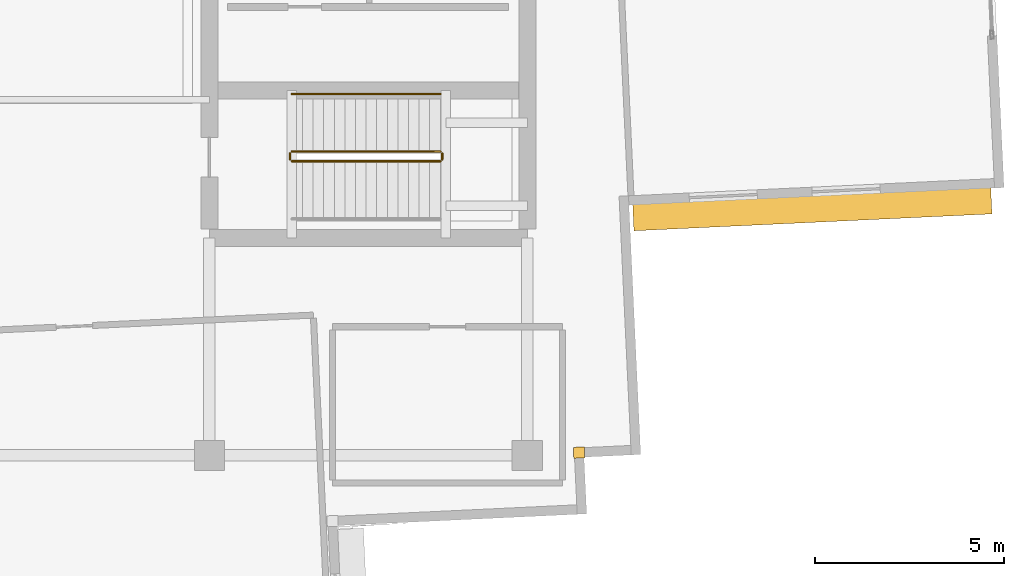
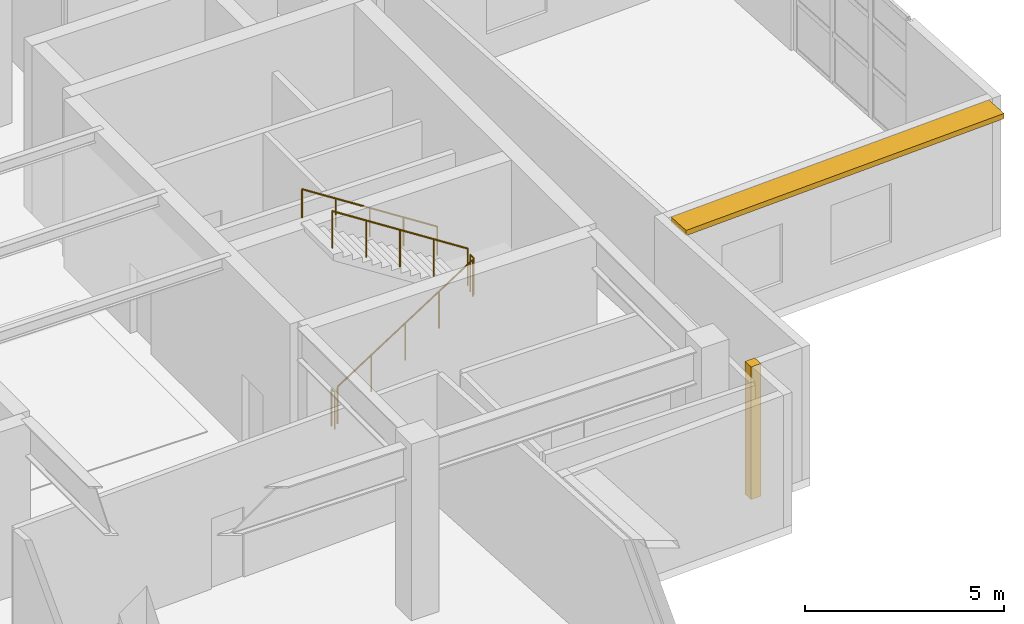
# One storey, part 19 of 22: 5 railings, 1 covering, 1 shading device.
"""IFC4 building model written with IfcOpenShell, lengths in metres."""

from ifc_helpers import new_model, si_unit, direction, frame, origin, origin_2d, place, context, subcontext, project, spatial, rectangle, circle, extrude, material, layer, layer_set, type_object, element, save


model = new_model("IFC4")

# Units and contexts
model_context = context("Model", 3, precision=1e-05, world=origin(), true_north=direction((0.0, 1.0)))
body_context = subcontext(model_context, "Body", "Model", "MODEL_VIEW")
ifc_project = project(units=[si_unit("LENGTHUNIT", "METRE"), si_unit("AREAUNIT", "SQUARE_METRE"), si_unit("VOLUMEUNIT", "CUBIC_METRE"), si_unit("PLANEANGLEUNIT", "RADIAN"), si_unit("MASSUNIT", "GRAM", prefix="KILO")], contexts=[model_context])

# Site, building, storey
site_placement = place(None, origin())
site = spatial("IfcSite", under=ifc_project, at=site_placement, CompositionType="ELEMENT")
building_placement = place(site_placement, origin())
building = spatial("IfcBuilding", under=site, at=building_placement, Name="Qingluan Cross Belvedere", CompositionType="ELEMENT")
storey_placement = place(building_placement, frame((0.0, 0.0, 294.0)))
storey = spatial("IfcBuildingStorey", under=building, at=storey_placement, Name="L73", CompositionType="ELEMENT", Elevation=294.0)

# Covering
ifc_material_1 = material(Name="Precast concrete C45", Category="concrete")
ifc_layer_1 = layer(ifc_material_1, 0.1201171875, Name="ConcreteSpandrelCladding_120")
ifc_layer_set_1 = layer_set([ifc_layer_1], Name="Precast concrete C45")
covering_type = type_object("IfcCoveringType", Name="ConcreteSpandrelCladding_120", PredefinedType="CLADDING", material=ifc_layer_set_1)
covering_placement = place(storey_placement, frame((13.765380859375, -12.525390625, 0.0), z_axis=(0.0, 0.0, 1.0), x_axis=(0.998889874962, 0.04710645071, 0.0)))
element("IfcCovering", 1, at=covering_placement, inside=storey, type_object=covering_type, Name="Corner closure L73-SE1", PredefinedType="CLADDING", context=body_context, shape_type="SweptSolid", body=[
    extrude(rectangle(XDim=0.2900390625, YDim=0.2900390625, at=origin_2d()), origin(), (0.0, 0.0, 1.0), 4.06005859375),
])

# Shading device
ifc_material_2 = material(Name="Precast concrete C45", Category="concrete")
ifc_layer_2 = layer(ifc_material_2, 0.139892578125, Name="ConcreteSunshadeBand_700")
ifc_layer_set_2 = layer_set([ifc_layer_2], Name="Precast concrete C45")
shading_device_type = type_object("IfcShadingDeviceType", Name="ConcreteSunshadeBand_700", PredefinedType="USERDEFINED", material=ifc_layer_set_2)
shading_device_placement = place(storey_placement, frame((19.92919921875, -6.093017578125, 3.8798828125), z_axis=(0.0, 0.0, 1.0), x_axis=(0.998889954319, 0.047104767918, 0.0)))
element("IfcShadingDevice", 2, at=shading_device_placement, inside=storey, type_object=shading_device_type, Name="Concrete SUNSHADE L73-EA", ObjectType="SUNSHADE", PredefinedType="USERDEFINED", context=body_context, shape_type="SweptSolid", body=[
    extrude(rectangle(XDim=9.469970703125, YDim=0.699951171875, at=origin_2d()), origin(), (0.0, 0.0, 1.0), 0.159912109375),
])

# Railings
ifc_material_3 = material(Name="Brushed stainless steel tubular handrail", Category="steel")
railing_type_1 = type_object("IfcRailingType", Name="StairPitchHandrail_900", PredefinedType="HANDRAIL", material=ifc_material_3)
railing_1_placement = place(storey_placement, frame((10.10009765625, -3.050048828125, 2.8798828125)))
element("IfcRailing", 3, at=railing_1_placement, inside=storey, type_object=railing_type_1, Name="L73 ST2 stair handrail 2", PredefinedType="HANDRAIL", context=body_context, shape_type="SweptSolid", body=[
    extrude(circle(Radius=0.02392578125, at=origin_2d()), frame((0.0, 0.0, 0.8759765625), z_axis=(-0.841186985886, 0.0, 0.540744352514), x_axis=(0.0, -1.0, 0.0)), (0.0, 0.0, 1.0), 4.660400390625),
    extrude(circle(Radius=0.02099609375, at=origin_2d()), origin(), (0.0, 0.0, 1.0), 0.851806640625),
    extrude(circle(Radius=0.02099609375, at=origin_2d()), frame((-0.97998046875, 0.0, 0.6298828125)), (0.0, 0.0, 1.0), 0.851806640625),
    extrude(circle(Radius=0.02099609375, at=origin_2d()), frame((-1.9599609375, 0.0, 1.260009765625)), (0.0, 0.0, 1.0), 0.851806640625),
    extrude(circle(Radius=0.02099609375, at=origin_2d()), frame((-2.940185546875, 0.0, 1.89013671875)), (0.0, 0.0, 1.0), 0.851806640625),
    extrude(circle(Radius=0.02099609375, at=origin_2d()), frame((-3.920166015625, 0.0, 2.52001953125)), (0.0, 0.0, 1.0), 0.851806640625),
])
ifc_material_4 = material(Name="Painted steel stair well guard", Category="steel")
railing_type_2 = type_object("IfcRailingType", Name="StairWellGuard_1150", PredefinedType="BALUSTRADE", material=ifc_material_4)
railing_2_placement = place(storey_placement, frame((6.179931640625, -4.830078125, 0.179931640625)))
element("IfcRailing", 4, at=railing_2_placement, inside=storey, type_object=railing_type_2, Name="L73 ST2 stair guard 1", PredefinedType="BALUSTRADE", context=body_context, shape_type="SweptSolid", body=[
    extrude(circle(Radius=0.02392578125, at=origin_2d()), frame((0.0, 0.0, 1.1259765625), z_axis=(0.841186985886, 0.0, 0.540744352514), x_axis=(0.0, 1.0, 0.0)), (0.0, 0.0, 1.0), 4.660400390625),
    extrude(circle(Radius=0.02099609375, at=origin_2d()), origin(), (0.0, 0.0, 1.0), 1.101806640625),
    extrude(circle(Radius=0.02099609375, at=origin_2d()), frame((0.97998046875, 0.0, 0.6298828125)), (0.0, 0.0, 1.0), 1.101806640625),
    extrude(circle(Radius=0.02099609375, at=origin_2d()), frame((1.9599609375, 0.0, 1.260009765625)), (0.0, 0.0, 1.0), 1.101806640625),
    extrude(circle(Radius=0.02099609375, at=origin_2d()), frame((2.940185546875, 0.0, 1.89013671875)), (0.0, 0.0, 1.0), 1.101806640625),
    extrude(circle(Radius=0.02099609375, at=origin_2d()), frame((3.920166015625, 0.0, 2.52001953125)), (0.0, 0.0, 1.0), 1.101806640625),
])
railing_3_placement = place(storey_placement, frame((10.14990234375, -4.780029296875, 2.699951171875)))
element("IfcRailing", 5, at=railing_3_placement, inside=storey, type_object=railing_type_2, Name="L73 ST2 stair guard 2", PredefinedType="BALUSTRADE", context=body_context, shape_type="SweptSolid", body=[
    extrude(circle(Radius=0.02392578125, at=origin_2d()), frame((0.0, 0.0, 1.1259765625), z_axis=(0.0, 1.0, 0.0), x_axis=(-1.0, 0.0, 0.0)), (0.0, 0.0, 1.0), 0.159912109375),
    extrude(circle(Radius=0.02099609375, at=origin_2d()), origin(), (0.0, 0.0, 1.0), 1.101806640625),
    extrude(circle(Radius=0.02099609375, at=origin_2d()), frame((0.0, 0.159912109375, 0.0)), (0.0, 0.0, 1.0), 1.101806640625),
])
railing_4_placement = place(storey_placement, frame((10.10009765625, -4.570068359375, 2.8798828125)))
element("IfcRailing", 6, at=railing_4_placement, inside=storey, type_object=railing_type_2, Name="L73 ST2 stair guard 3", PredefinedType="BALUSTRADE", context=body_context, shape_type="SweptSolid", body=[
    extrude(circle(Radius=0.02392578125, at=origin_2d()), frame((0.0, 0.0, 1.1259765625), z_axis=(-0.841186985886, 0.0, 0.540744352514), x_axis=(0.0, -1.0, 0.0)), (0.0, 0.0, 1.0), 4.660400390625),
    extrude(circle(Radius=0.02099609375, at=origin_2d()), origin(), (0.0, 0.0, 1.0), 1.101806640625),
    extrude(circle(Radius=0.02099609375, at=origin_2d()), frame((-0.97998046875, 0.0, 0.6298828125)), (0.0, 0.0, 1.0), 1.101806640625),
    extrude(circle(Radius=0.02099609375, at=origin_2d()), frame((-1.9599609375, 0.0, 1.260009765625)), (0.0, 0.0, 1.0), 1.101806640625),
    extrude(circle(Radius=0.02099609375, at=origin_2d()), frame((-2.940185546875, 0.0, 1.89013671875)), (0.0, 0.0, 1.0), 1.101806640625),
    extrude(circle(Radius=0.02099609375, at=origin_2d()), frame((-3.920166015625, 0.0, 2.52001953125)), (0.0, 0.0, 1.0), 1.101806640625),
])
railing_5_placement = place(storey_placement, frame((6.1298828125, -4.780029296875, 0.0)))
element("IfcRailing", 7, at=railing_5_placement, inside=storey, type_object=railing_type_2, Name="L73 ST2 stair guard 4", PredefinedType="BALUSTRADE", context=body_context, shape_type="SweptSolid", body=[
    extrude(circle(Radius=0.02392578125, at=origin_2d()), frame((0.0, 0.0, 1.1259765625), z_axis=(0.0, 1.0, 0.0), x_axis=(-1.0, 0.0, 0.0)), (0.0, 0.0, 1.0), 0.159912109375),
    extrude(circle(Radius=0.02099609375, at=origin_2d()), origin(), (0.0, 0.0, 1.0), 1.101806640625),
    extrude(circle(Radius=0.02099609375, at=origin_2d()), frame((0.0, 0.159912109375, 0.0)), (0.0, 0.0, 1.0), 1.101806640625),
])

save(model, "model.ifc")
